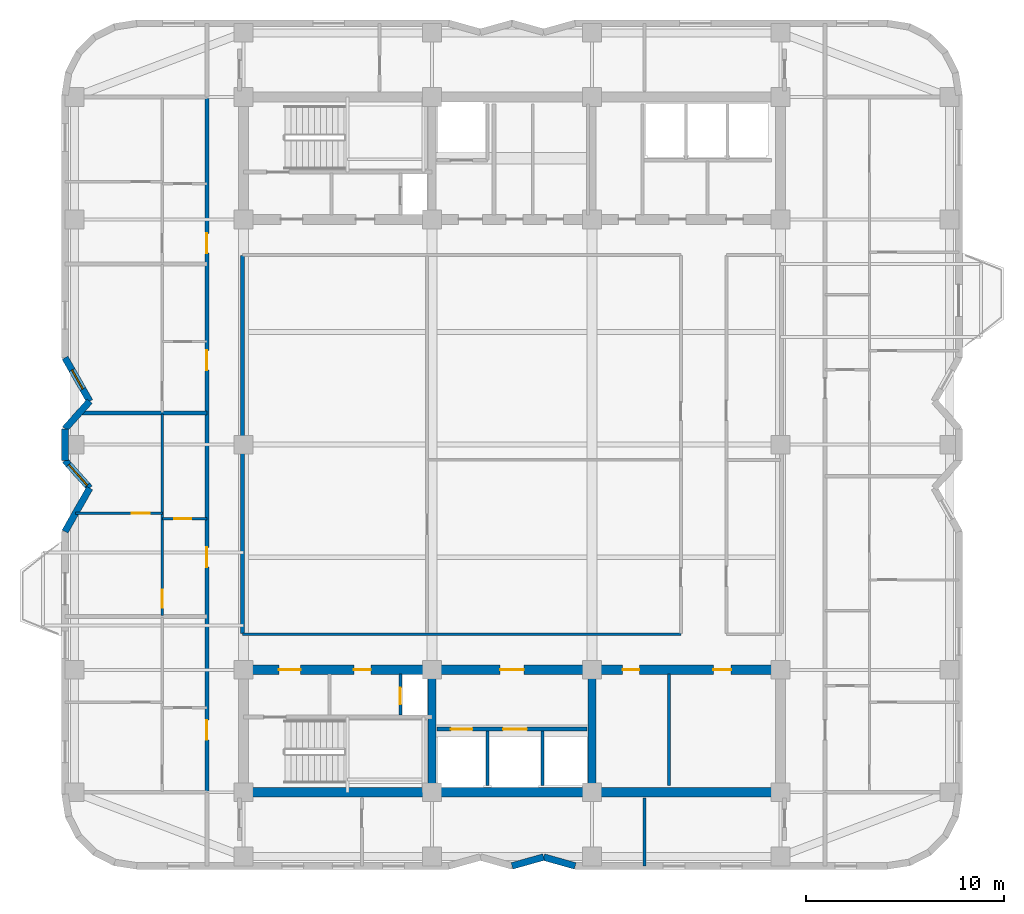
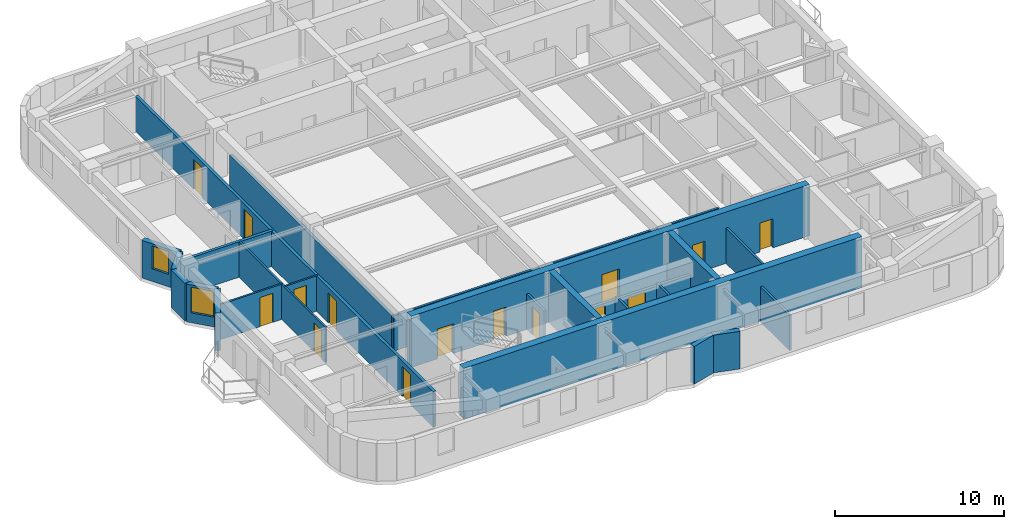
# One storey, part 3 of 9: 24 walls, 15 doors, 2 windows, 17 openings.
"""IFC4 building model written with IfcOpenShell, lengths in metres."""

from ifc_helpers import new_model, si_unit, direction, frame, frame_2d, origin, place, context, subcontext, project, spatial, rectangle, extrude, material, layer, layer_set, type_object, element, fill, save


model = new_model("IFC4")

# Units and contexts
model_context = context("Model", 3, precision=1e-05, world=origin(), true_north=direction((0.0, 1.0)))
body_context = subcontext(model_context, "Body", "Model", "MODEL_VIEW")
ifc_project = project(units=[si_unit("LENGTHUNIT", "METRE"), si_unit("AREAUNIT", "SQUARE_METRE"), si_unit("VOLUMEUNIT", "CUBIC_METRE"), si_unit("PLANEANGLEUNIT", "RADIAN"), si_unit("MASSUNIT", "GRAM", prefix="KILO")], contexts=[model_context])

# Site, building, storey
site_placement = place(None, origin())
site = spatial("IfcSite", under=ifc_project, at=site_placement, CompositionType="ELEMENT")
building_placement = place(site_placement, origin())
building = spatial("IfcBuilding", under=site, at=building_placement, Name="Svetorya Sky Lyceum", CompositionType="ELEMENT")
storey_placement = place(building_placement, frame((0.0, 0.0, 173.699951171875)))
storey = spatial("IfcBuildingStorey", under=building, at=storey_placement, Name="L43", CompositionType="ELEMENT", Elevation=173.699951171875)

# Walls
ifc_material_1 = material(Name="Concrete C40/50", Category="concrete")
ifc_layer_1 = layer(ifc_material_1, 0.39990234375)
ifc_layer_set_1 = layer_set([ifc_layer_1], Name="Concrete C40/50")
wall_type_1 = type_object("IfcWallType", Name="WL-CORE-400", PredefinedType="SHEAR", material=ifc_layer_set_1)
for number, where, z_axis, x_axis, name in (
    (1, (35.14990234375, 10.85009765625, 0.0), (0.0, 0.0, 1.0), (0.0, 1.0, 0.0), "L43 SC Internal Shear Web WEB1"),
    (2, (43.25, 10.85009765625, 0.0), (0.0, 0.0, 1.0), (0.0, 1.0, 0.0), "L43 SC Internal Shear Web WEB2"),
):
    element("IfcWall", number, at=place(storey_placement, frame(where, z_axis=z_axis, x_axis=x_axis)), inside=storey, type_object=wall_type_1, Name=name, PredefinedType="SHEAR", context=body_context, shape_type="SweptSolid", body=[
        extrude(rectangle(XDim=5.699951171875, YDim=0.39990234375, at=frame_2d((2.85009765625, 0.0))), origin(), (0.0, 0.0, 1.0), 3.699951171875),
    ])
ifc_material_2 = material(Name="Concrete C50/60", Category="concrete")
ifc_layer_2 = layer(ifc_material_2, 0.5)
ifc_layer_set_2 = layer_set([ifc_layer_2], Name="Concrete C50/60")
wall_type_2 = type_object("IfcWallType", Name="WL-CORE-500", PredefinedType="SHEAR", material=ifc_layer_set_2)
wall_1_placement = place(storey_placement, frame((52.800048828125, 10.60009765625, 0.0), z_axis=(0.0, 0.0, 1.0), x_axis=(-1.0, 0.0, 0.0)))
element("IfcWall", 3, at=wall_1_placement, inside=storey, type_object=wall_type_2, Name="L43 SC Outer Core Shear Wall", PredefinedType="SHEAR", context=body_context, shape_type="SweptSolid", body=[
    extrude(rectangle(XDim=27.199951171875, YDim=0.5, at=frame_2d((13.60009765625, 0.0))), origin(), (0.0, 0.0, 1.0), 3.699951171875),
])

# Wall, openings, doors
wall_2_placement = place(storey_placement, frame((25.60009765625, 16.800048828125, 0.0), z_axis=(0.0, 0.0, 1.0), x_axis=(1.0, 0.0, 0.0)))
wall_2 = element("IfcWall", 4, at=wall_2_placement, inside=storey, type_object=wall_type_2, Name="L43 SC Inner Core Shear Wall", PredefinedType="SHEAR", context=body_context, shape_type="SweptSolid", body=[
    extrude(rectangle(XDim=27.199951171875, YDim=0.5, at=frame_2d((13.60009765625, 0.0))), origin(), (0.0, 0.0, 1.0), 3.699951171875),
])
opening_1_placement = place(wall_2_placement, frame((1.800048828125, 0.0, 0.0)))
opening_1 = element("IfcOpeningElement", 5, at=opening_1_placement, cuts=wall_2, Name="Opening D-ST1", PredefinedType="OPENING", context=body_context, shape_type="SweptSolid", body=[
    extrude(rectangle(XDim=1.10009765625, YDim=2.14990234375, at=frame_2d((0.550048828125, 1.074951171875))), frame((0.0, 0.260009765625, 0.0), z_axis=(0.0, -1.0, 0.0), x_axis=(1.0, 0.0, 0.0)), (0.0, 0.0, 1.0), 0.52001953125),
])
opening_2_placement = place(wall_2_placement, frame((5.60009765625, 0.0, 0.0)))
opening_2 = element("IfcOpeningElement", 6, at=opening_2_placement, cuts=wall_2, Name="Opening D-CWC1", PredefinedType="OPENING", context=body_context, shape_type="SweptSolid", body=[
    extrude(rectangle(XDim=0.85009765625, YDim=2.10009765625, at=frame_2d((0.425048828125, 1.050048828125))), frame((0.0, 0.260009765625, 0.0), z_axis=(0.0, -1.0, 0.0), x_axis=(1.0, 0.0, 0.0)), (0.0, 0.0, 1.0), 0.52001953125),
])
opening_3_placement = place(wall_2_placement, frame((13.0, 0.0, 0.0)))
opening_3 = element("IfcOpeningElement", 7, at=opening_3_placement, cuts=wall_2, Name="Opening D-FL1", PredefinedType="OPENING", context=body_context, shape_type="SweptSolid", body=[
    extrude(rectangle(XDim=1.199951171875, YDim=2.14990234375, at=frame_2d((0.60009765625, 1.074951171875))), frame((0.0, 0.260009765625, 0.0), z_axis=(0.0, -1.0, 0.0), x_axis=(1.0, 0.0, 0.0)), (0.0, 0.0, 1.0), 0.52001953125),
])
opening_4_placement = place(wall_2_placement, frame((19.199951171875, 0.0, 0.0)))
opening_4 = element("IfcOpeningElement", 8, at=opening_4_placement, cuts=wall_2, Name="Opening D-CWC1", PredefinedType="OPENING", context=body_context, shape_type="SweptSolid", body=[
    extrude(rectangle(XDim=0.85009765625, YDim=2.10009765625, at=frame_2d((0.425048828125, 1.050048828125))), frame((0.0, 0.260009765625, 0.0), z_axis=(0.0, -1.0, 0.0), x_axis=(1.0, 0.0, 0.0)), (0.0, 0.0, 1.0), 0.52001953125),
])
opening_5_placement = place(wall_2_placement, frame((23.800048828125, 0.0, 0.0)))
opening_5 = element("IfcOpeningElement", 9, at=opening_5_placement, cuts=wall_2, Name="Opening D-RM1", PredefinedType="OPENING", context=body_context, shape_type="SweptSolid", body=[
    extrude(rectangle(XDim=0.89990234375, YDim=2.10009765625, at=frame_2d((0.449951171875, 1.050048828125))), frame((0.0, 0.260009765625, 0.0), z_axis=(0.0, -1.0, 0.0), x_axis=(1.0, 0.0, 0.0)), (0.0, 0.0, 1.0), 0.52001953125),
])
ifc_material_3 = material(Name="Fire-rated galvanized steel core service closet door", Category="steel")
door_type_1 = type_object("IfcDoorType", Name="DR-CWET-850", OperationType="SINGLE_SWING_LEFT", PredefinedType="DOOR", material=ifc_material_3)
door_1_placement = place(opening_2_placement, origin())
door_1 = element("IfcDoor", 10, at=door_1_placement, inside=storey, type_object=door_type_1, Name="L43 South Hydrant Room Door", OperationType="SINGLE_SWING_LEFT", OverallHeight=2.10009765625, OverallWidth=0.85009765625, PredefinedType="DOOR", context=body_context, shape_type="SweptSolid", body=[
    extrude(rectangle(XDim=0.85009765625, YDim=2.10009765625, at=frame_2d((0.425048828125, 1.050048828125))), frame((0.0, 0.02490234375, 0.0), z_axis=(0.0, -1.0, 0.0), x_axis=(1.0, 0.0, 0.0)), (0.0, 0.0, 1.0), 0.050048828125),
])
fill(opening_2, door_1)
door_2_placement = place(opening_4_placement, origin())
door_2 = element("IfcDoor", 11, at=door_2_placement, inside=storey, type_object=door_type_1, Name="L43 Laundry Door", OperationType="SINGLE_SWING_RIGHT", OverallHeight=2.10009765625, OverallWidth=0.85009765625, PredefinedType="DOOR", context=body_context, shape_type="SweptSolid", body=[
    extrude(rectangle(XDim=0.85009765625, YDim=2.10009765625, at=frame_2d((0.425048828125, 1.050048828125))), frame((0.0, 0.02490234375, 0.0), z_axis=(0.0, -1.0, 0.0), x_axis=(1.0, 0.0, 0.0)), (0.0, 0.0, 1.0), 0.050048828125),
])
fill(opening_4, door_2)
ifc_material_4 = material(Name="Powder-coated insulated galvanized stair fire door")
door_type_2 = type_object("IfcDoorType", Name="DR-FIRE-1100", OperationType="SINGLE_SWING_LEFT", PredefinedType="DOOR", material=ifc_material_4)
door_3_placement = place(opening_1_placement, origin())
door_3 = element("IfcDoor", 12, at=door_3_placement, inside=storey, type_object=door_type_2, Name="L43 South Stair Airlock Door", OperationType="SINGLE_SWING_RIGHT", OverallHeight=2.14990234375, OverallWidth=1.10009765625, PredefinedType="DOOR", context=body_context, shape_type="SweptSolid", body=[
    extrude(rectangle(XDim=1.10009765625, YDim=2.14990234375, at=frame_2d((0.550048828125, 1.074951171875))), frame((0.0, 0.02490234375, 0.0), z_axis=(0.0, -1.0, 0.0), x_axis=(1.0, 0.0, 0.0)), (0.0, 0.0, 1.0), 0.050048828125),
])
fill(opening_1, door_3)
ifc_material_5 = material(Name="Powder-coated insulated galvanized fire door")
door_type_3 = type_object("IfcDoorType", Name="DR-FIRE-1200", OperationType="SINGLE_SWING_LEFT", PredefinedType="DOOR", material=ifc_material_5)
door_4_placement = place(opening_3_placement, origin())
door_4 = element("IfcDoor", 13, at=door_4_placement, inside=storey, type_object=door_type_3, Name="L43 South Firefighting Lift Lobby Door", OperationType="SINGLE_SWING_LEFT", OverallHeight=2.14990234375, OverallWidth=1.199951171875, PredefinedType="DOOR", context=body_context, shape_type="SweptSolid", body=[
    extrude(rectangle(XDim=1.199951171875, YDim=2.14990234375, at=frame_2d((0.60009765625, 1.074951171875))), frame((0.0, 0.02490234375, 0.0), z_axis=(0.0, -1.0, 0.0), x_axis=(1.0, 0.0, 0.0)), (0.0, 0.0, 1.0), 0.050048828125),
])
fill(opening_3, door_4)
ifc_material_6 = material(Name="Lacquered birch veneer internal door")
door_type_4 = type_object("IfcDoorType", Name="DR-INT-900", OperationType="SINGLE_SWING_LEFT", PredefinedType="DOOR", material=ifc_material_6)
door_5_placement = place(opening_5_placement, origin())
door_5 = element("IfcDoor", 14, at=door_5_placement, inside=storey, type_object=door_type_4, Name="L43 Pantry Door", OperationType="SINGLE_SWING_LEFT", OverallHeight=2.10009765625, OverallWidth=0.89990234375, PredefinedType="DOOR", context=body_context, shape_type="SweptSolid", body=[
    extrude(rectangle(XDim=0.89990234375, YDim=2.10009765625, at=frame_2d((0.449951171875, 1.050048828125))), frame((0.0, 0.02490234375, 0.0), z_axis=(0.0, -1.0, 0.0), x_axis=(1.0, 0.0, 0.0)), (0.0, 0.0, 1.0), 0.050048828125),
])
fill(opening_5, door_5)

# Walls
ifc_material_7 = material(Name="Putilovo limestone rainscreen on autoclaved cellular masonry", Category="masonry")
ifc_layer_3 = layer(ifc_material_7, 0.340087890625)
ifc_layer_set_3 = layer_set([ifc_layer_3], Name="Putilovo limestone rainscreen on autoclaved cellular masonry")
wall_type_3 = type_object("IfcWallType", Name="WL-EXT-340", PredefinedType="SOLIDWALL", material=ifc_layer_set_3)
wall_3_placement = place(storey_placement, frame((39.199951171875, 6.8701171875, 0.0), z_axis=(0.0, 0.0, 1.0), x_axis=(0.962662902433, 0.270703040766, 0.0)))
element("IfcWall", 15, at=wall_3_placement, inside=storey, type_object=wall_type_3, Name="L43 Limestone Exterior Wall 9M", PredefinedType="SOLIDWALL", context=body_context, shape_type="SweptSolid", body=[
    extrude(rectangle(XDim=1.662109375, YDim=0.340087890625, at=frame_2d((0.8310546875, 0.0))), origin(), (0.0, 0.0, 1.0), 2.719970703125),
])
wall_4_placement = place(storey_placement, frame((40.800048828125, 7.320068359375, 0.0), z_axis=(0.0, 0.0, 1.0), x_axis=(0.962652136636, -0.270741322725, 0.0)))
element("IfcWall", 16, at=wall_4_placement, inside=storey, type_object=wall_type_3, Name="L43 Limestone Exterior Wall 10M", PredefinedType="SOLIDWALL", context=body_context, shape_type="SweptSolid", body=[
    extrude(rectangle(XDim=1.661865234375, YDim=0.340087890625, at=frame_2d((0.8310546875, 0.0))), origin(), (0.0, 0.0, 1.0), 2.719970703125),
])

# Wall, opening, window
wall_5_placement = place(storey_placement, frame((16.570068359375, 32.60009765625, 0.0), z_axis=(0.0, 0.0, 1.0), x_axis=(0.493976255291, -0.869475393101, 0.0)))
wall_5 = element("IfcWall", 17, at=wall_5_placement, inside=storey, type_object=wall_type_3, Name="L43 Limestone Exterior Wall 41M", PredefinedType="SOLIDWALL", context=body_context, shape_type="SweptSolid", body=[
    extrude(rectangle(XDim=2.530517578125, YDim=0.340087890625, at=frame_2d((1.26513671875, 0.0))), origin(), (0.0, 0.0, 1.0), 2.719970703125),
])
opening_6_placement = place(wall_5_placement, frame((0.715087890625, 0.0, 0.909912109375)))
opening_6 = element("IfcOpeningElement", 18, at=opening_6_placement, cuts=wall_5, Name="Opening W-R3", PredefinedType="OPENING", context=body_context, shape_type="SweptSolid", body=[
    extrude(rectangle(XDim=1.10009765625, YDim=1.64990234375, at=frame_2d((0.550048828125, 0.824951171875))), frame((0.0, 0.179931640625, 0.0), z_axis=(0.0, -1.0, 0.0), x_axis=(1.0, 0.0, 0.0)), (0.0, 0.0, 1.0), 0.360107421875),
])
ifc_material_8 = material(Name="Thermally broken aluminium frame with triple low-E glazing", Category="aluminium")
window_type_1 = type_object("IfcWindowType", Name="WN-RES-110", PartitioningType="SINGLE_PANEL", PredefinedType="WINDOW", material=ifc_material_8)
window_1_placement = place(opening_6_placement, origin())
window_1 = element("IfcWindow", 19, at=window_1_placement, inside=storey, type_object=window_type_1, Name="L43 Facade Window W-R3.41M.1", OverallHeight=1.64990234375, OverallWidth=1.10009765625, PartitioningType="SINGLE_PANEL", PredefinedType="WINDOW", context=body_context, shape_type="SweptSolid", body=[
    extrude(rectangle(XDim=1.10009765625, YDim=1.64990234375, at=frame_2d((0.550048828125, 0.824951171875))), frame((0.0, 0.030029296875, 0.0), z_axis=(0.0, -1.0, 0.0), x_axis=(1.0, 0.0, 0.0)), (0.0, 0.0, 1.0), 0.06005859375),
])
fill(opening_6, window_1)

# Walls
wall_6_placement = place(storey_placement, frame((17.820068359375, 30.39990234375, 0.0), z_axis=(0.0, 0.0, 1.0), x_axis=(-0.666041619974, -0.74591457987, 0.0)))
element("IfcWall", 20, at=wall_6_placement, inside=storey, type_object=wall_type_3, Name="L43 Limestone Exterior Wall 42M", PredefinedType="SOLIDWALL", context=body_context, shape_type="SweptSolid", body=[
    extrude(rectangle(XDim=1.876708984375, YDim=0.340087890625, at=frame_2d((0.9384765625, 0.0))), origin(), (0.0, 0.0, 1.0), 2.719970703125),
])
wall_7_placement = place(storey_placement, frame((16.570068359375, 29.0, 0.0), z_axis=(0.0, 0.0, 1.0), x_axis=(0.0, -1.0, 0.0)))
element("IfcWall", 21, at=wall_7_placement, inside=storey, type_object=wall_type_3, Name="L43 Limestone Exterior Wall 43M", PredefinedType="SOLIDWALL", context=body_context, shape_type="SweptSolid", body=[
    extrude(rectangle(XDim=1.60009765625, YDim=0.340087890625, at=frame_2d((0.800048828125, 0.0))), origin(), (0.0, 0.0, 1.0), 2.719970703125),
])

# Wall, opening, window
wall_8_placement = place(storey_placement, frame((16.570068359375, 27.39990234375, 0.0), z_axis=(0.0, 0.0, 1.0), x_axis=(0.666041619974, -0.74591457987, 0.0)))
wall_8 = element("IfcWall", 22, at=wall_8_placement, inside=storey, type_object=wall_type_3, Name="L43 Limestone Exterior Wall 44M", PredefinedType="SOLIDWALL", context=body_context, shape_type="SweptSolid", body=[
    extrude(rectangle(XDim=1.876708984375, YDim=0.340087890625, at=frame_2d((0.9384765625, 0.0))), origin(), (0.0, 0.0, 1.0), 2.719970703125),
])
opening_7_placement = place(wall_8_placement, frame((0.280029296875, 0.0, 0.7099609375)))
opening_7 = element("IfcOpeningElement", 23, at=opening_7_placement, cuts=wall_8, Name="Opening W-R2", PredefinedType="OPENING", context=body_context, shape_type="SweptSolid", body=[
    extrude(rectangle(XDim=1.39990234375, YDim=1.85009765625, at=frame_2d((0.699951171875, 0.925048828125))), frame((0.0, 0.179931640625, 0.0), z_axis=(0.0, -1.0, 0.0), x_axis=(1.0, 0.0, 0.0)), (0.0, 0.0, 1.0), 0.360107421875),
])
window_type_2 = type_object("IfcWindowType", Name="WN-RES-140", PartitioningType="SINGLE_PANEL", PredefinedType="WINDOW", material=ifc_material_8)
window_2_placement = place(opening_7_placement, origin())
window_2 = element("IfcWindow", 24, at=window_2_placement, inside=storey, type_object=window_type_2, Name="L43 Facade Window W-R2.44M.1", OverallHeight=1.85009765625, OverallWidth=1.39990234375, PartitioningType="SINGLE_PANEL", PredefinedType="WINDOW", context=body_context, shape_type="SweptSolid", body=[
    extrude(rectangle(XDim=1.39990234375, YDim=1.85009765625, at=frame_2d((0.699951171875, 0.925048828125))), frame((0.0, 0.030029296875, 0.0), z_axis=(0.0, -1.0, 0.0), x_axis=(1.0, 0.0, 0.0)), (0.0, 0.0, 1.0), 0.06005859375),
])
fill(opening_7, window_2)

# Wall
wall_9_placement = place(storey_placement, frame((17.820068359375, 26.0, 0.0), z_axis=(0.0, 0.0, 1.0), x_axis=(-0.494017696272, -0.869451847873, 0.0)))
element("IfcWall", 25, at=wall_9_placement, inside=storey, type_object=wall_type_3, Name="L43 Limestone Exterior Wall 45M", PredefinedType="SOLIDWALL", context=body_context, shape_type="SweptSolid", body=[
    extrude(rectangle(XDim=2.5302734375, YDim=0.340087890625, at=frame_2d((1.26513671875, 0.0))), origin(), (0.0, 0.0, 1.0), 2.719970703125),
])

# Wall, opening, door
ifc_material_9 = material(Name="Twin-stud galvanized framing with double fireboard", Category="gypsum")
ifc_layer_4 = layer(ifc_material_9, 0.1201171875)
ifc_layer_set_4 = layer_set([ifc_layer_4], Name="Twin-stud galvanized framing with double fireboard")
wall_type_4 = type_object("IfcWallType", Name="WL-PART-120", PredefinedType="PARTITIONING", material=ifc_layer_set_4)
wall_10_placement = place(storey_placement, frame((21.5, 24.43994140625, 0.0), z_axis=(0.0, 0.0, 1.0), x_axis=(1.0, 0.0, 0.0)))
wall_10 = element("IfcWall", 26, at=wall_10_placement, inside=storey, type_object=wall_type_4, Name="L43 Interior Partition W2-WH1", PredefinedType="PARTITIONING", context=body_context, shape_type="SweptSolid", body=[
    extrude(rectangle(XDim=2.25, YDim=0.1201171875, at=frame_2d((1.125, 0.0))), origin(), (0.0, 0.0, 1.0), 2.550048828125),
])
opening_8_placement = place(wall_10_placement, frame((0.60009765625, 0.0, 0.0)))
opening_8 = element("IfcOpeningElement", 27, at=opening_8_placement, cuts=wall_10, Name="Opening D-BT1", PredefinedType="OPENING", context=body_context, shape_type="SweptSolid", body=[
    extrude(rectangle(XDim=0.85009765625, YDim=2.10009765625, at=frame_2d((0.425048828125, 1.050048828125))), frame((0.0, 0.070068359375, 0.0), z_axis=(0.0, -1.0, 0.0), x_axis=(1.0, 0.0, 0.0)), (0.0, 0.0, 1.0), 0.14013671875),
])
ifc_material_10 = material(Name="Moisture-resistant laminate bathroom door")
door_type_5 = type_object("IfcDoorType", Name="DR-WET-850", OperationType="SINGLE_SWING_LEFT", PredefinedType="DOOR", material=ifc_material_10)
door_6_placement = place(opening_8_placement, origin())
door_6 = element("IfcDoor", 28, at=door_6_placement, inside=storey, type_object=door_type_5, Name="Apartment W2 Bathroom Door", OperationType="SINGLE_SWING_RIGHT", OverallHeight=2.10009765625, OverallWidth=0.85009765625, PredefinedType="DOOR", context=body_context, shape_type="SweptSolid", body=[
    extrude(rectangle(XDim=0.85009765625, YDim=2.10009765625, at=frame_2d((0.425048828125, 1.050048828125))), frame((0.0, 0.02490234375, 0.0), z_axis=(0.0, -1.0, 0.0), x_axis=(1.0, 0.0, 0.0)), (0.0, 0.0, 1.0), 0.050048828125),
])
fill(opening_8, door_6)

wall_11_placement = place(storey_placement, frame((17.098388671875, 24.72998046875, 0.0), z_axis=(0.0, 0.0, 1.0), x_axis=(1.0, 0.0, 0.0)))
wall_11 = element("IfcWall", 29, at=wall_11_placement, inside=storey, type_object=wall_type_4, Name="L43 Interior Partition W2-WL1", PredefinedType="PARTITIONING", context=body_context, shape_type="SweptSolid", body=[
    extrude(rectangle(XDim=4.401611328125, YDim=0.1201171875, at=frame_2d((2.20068359375, 0.0))), origin(), (0.0, 0.0, 1.0), 2.550048828125),
])
opening_9_placement = place(wall_11_placement, frame((2.8515625, 0.0, 0.0)))
opening_9 = element("IfcOpeningElement", 30, at=opening_9_placement, cuts=wall_11, Name="Opening D-RM1", PredefinedType="OPENING", context=body_context, shape_type="SweptSolid", body=[
    extrude(rectangle(XDim=0.89990234375, YDim=2.10009765625, at=frame_2d((0.449951171875, 1.050048828125))), frame((0.0, 0.070068359375, 0.0), z_axis=(0.0, -1.0, 0.0), x_axis=(1.0, 0.0, 0.0)), (0.0, 0.0, 1.0), 0.14013671875),
])
door_7_placement = place(opening_9_placement, origin())
door_7 = element("IfcDoor", 31, at=door_7_placement, inside=storey, type_object=door_type_4, Name="Apartment W2 Bedroom 1 Door", OperationType="SINGLE_SWING_RIGHT", OverallHeight=2.10009765625, OverallWidth=0.89990234375, PredefinedType="DOOR", context=body_context, shape_type="SweptSolid", body=[
    extrude(rectangle(XDim=0.89990234375, YDim=2.10009765625, at=frame_2d((0.449951171875, 1.050048828125))), frame((0.0, 0.02490234375, 0.0), z_axis=(0.0, -1.0, 0.0), x_axis=(1.0, 0.0, 0.0)), (0.0, 0.0, 1.0), 0.050048828125),
])
fill(opening_9, door_7)

wall_12_placement = place(storey_placement, frame((21.5, 19.5400390625, 0.0), z_axis=(0.0, 0.0, 1.0), x_axis=(0.0, 1.0, 0.0)))
wall_12 = element("IfcWall", 32, at=wall_12_placement, inside=storey, type_object=wall_type_4, Name="L43 Interior Partition W2-WV", PredefinedType="PARTITIONING", context=body_context, shape_type="SweptSolid", body=[
    extrude(rectangle(XDim=10.219970703125, YDim=0.1201171875, at=frame_2d((5.10986328125, 0.0))), origin(), (0.0, 0.0, 1.0), 2.550048828125),
])
opening_10_placement = place(wall_12_placement, frame((0.409912109375, 0.0, 0.0)))
opening_10 = element("IfcOpeningElement", 33, at=opening_10_placement, cuts=wall_12, Name="Opening D-RM1", PredefinedType="OPENING", context=body_context, shape_type="SweptSolid", body=[
    extrude(rectangle(XDim=0.89990234375, YDim=2.10009765625, at=frame_2d((0.449951171875, 1.050048828125))), frame((0.0, 0.070068359375, 0.0), z_axis=(0.0, -1.0, 0.0), x_axis=(1.0, 0.0, 0.0)), (0.0, 0.0, 1.0), 0.14013671875),
])
door_8_placement = place(opening_10_placement, origin())
door_8 = element("IfcDoor", 34, at=door_8_placement, inside=storey, type_object=door_type_4, Name="Apartment W2 Living Door", OperationType="SINGLE_SWING_LEFT", OverallHeight=2.10009765625, OverallWidth=0.89990234375, PredefinedType="DOOR", context=body_context, shape_type="SweptSolid", body=[
    extrude(rectangle(XDim=0.89990234375, YDim=2.10009765625, at=frame_2d((0.449951171875, 1.050048828125))), frame((0.0, 0.02490234375, 0.0), z_axis=(0.0, -1.0, 0.0), x_axis=(1.0, 0.0, 0.0)), (0.0, 0.0, 1.0), 0.050048828125),
])
fill(opening_10, door_8)

ifc_material_11 = material(Name="Autoclaved cellular masonry blockwork with acoustic render", Category="masonry")
ifc_layer_5 = layer(ifc_material_11, 0.14990234375)
ifc_layer_set_5 = layer_set([ifc_layer_5], Name="Autoclaved cellular masonry blockwork with acoustic render")
wall_type_5 = type_object("IfcWallType", Name="WL-PART-150", PredefinedType="PARTITIONING", material=ifc_layer_set_5)
wall_13_placement = place(storey_placement, frame((33.550048828125, 14.5, 0.0), z_axis=(0.0, 0.0, 1.0), x_axis=(0.0, 1.0, 0.0)))
wall_13 = element("IfcWall", 35, at=wall_13_placement, inside=storey, type_object=wall_type_5, Name="L43 Interior Partition SC-SWD2", PredefinedType="PARTITIONING", context=body_context, shape_type="SweptSolid", body=[
    extrude(rectangle(XDim=2.080078125, YDim=0.14990234375, at=frame_2d((1.0400390625, 0.0))), origin(), (0.0, 0.0, 1.0), 2.550048828125),
])
opening_11_placement = place(wall_13_placement, frame((0.550048828125, 0.0, 0.0)))
opening_11 = element("IfcOpeningElement", 36, at=opening_11_placement, cuts=wall_13, Name="Opening D-SH1", PredefinedType="OPENING", context=body_context, shape_type="SweptSolid", body=[
    extrude(rectangle(XDim=0.85009765625, YDim=2.050048828125, at=frame_2d((0.425048828125, 1.02490234375))), frame((0.0, 0.0849609375, 0.0), z_axis=(0.0, -1.0, 0.0), x_axis=(1.0, 0.0, 0.0)), (0.0, 0.0, 1.0), 0.169921875),
])
ifc_material_12 = material(Name="Insulated galvanized riser inspection fire door")
door_type_6 = type_object("IfcDoorType", Name="DR-SHFT-850", OperationType="SINGLE_SWING_LEFT", PredefinedType="TRAPDOOR", material=ifc_material_12)
door_9_placement = place(opening_11_placement, origin())
door_9 = element("IfcDoor", 37, at=door_9_placement, inside=storey, type_object=door_type_6, Name="L43 South Riser Access Door", OperationType="SINGLE_SWING_RIGHT", OverallHeight=2.050048828125, OverallWidth=0.85009765625, PredefinedType="TRAPDOOR", context=body_context, shape_type="SweptSolid", body=[
    extrude(rectangle(XDim=0.85009765625, YDim=2.050048828125, at=frame_2d((0.425048828125, 1.02490234375))), frame((0.0, 0.02490234375, 0.0), z_axis=(0.0, -1.0, 0.0), x_axis=(1.0, 0.0, 0.0)), (0.0, 0.0, 1.0), 0.050048828125),
])
fill(opening_11, door_9)

# Walls
for number, where, z_axis, x_axis, name in (
    (38, (37.949951171875, 10.949951171875, 0.0), (0.0, 0.0, 1.0), (0.0, 1.0, 0.0), "L43 Interior Partition SC-SHD1"),
    (39, (40.75, 10.949951171875, 0.0), (0.0, 0.0, 1.0), (0.0, 1.0, 0.0), "L43 Interior Partition SC-SHD2"),
):
    element("IfcWall", number, at=place(storey_placement, frame(where, z_axis=z_axis, x_axis=x_axis)), inside=storey, type_object=wall_type_5, Name=name, PredefinedType="PARTITIONING", context=body_context, shape_type="SweptSolid", body=[
        extrude(rectangle(XDim=2.75, YDim=0.14990234375, at=frame_2d((1.375, 0.0))), origin(), (0.0, 0.0, 1.0), 2.550048828125),
    ])
wall_14_placement = place(storey_placement, frame((47.14990234375, 10.949951171875, 0.0), z_axis=(0.0, 0.0, 1.0), x_axis=(0.0, 1.0, 0.0)))
element("IfcWall", 40, at=wall_14_placement, inside=storey, type_object=wall_type_5, Name="L43 Interior Partition SC-LV7-VA", PredefinedType="PARTITIONING", context=body_context, shape_type="SweptSolid", body=[
    extrude(rectangle(XDim=5.630126953125, YDim=0.14990234375, at=frame_2d((2.81494140625, 0.0))), origin(), (0.0, 0.0, 1.0), 2.550048828125),
])
wall_15_placement = place(storey_placement, frame((25.550048828125, 18.60009765625, 0.0), z_axis=(0.0, 0.0, 1.0), x_axis=(1.0, 0.0, 0.0)))
element("IfcWall", 41, at=wall_15_placement, inside=storey, type_object=wall_type_5, Name="L43 Interior Partition OFF-CS-W", PredefinedType="PARTITIONING", context=body_context, shape_type="SweptSolid", body=[
    extrude(rectangle(XDim=22.199951171875, YDim=0.14990234375, at=frame_2d((11.10009765625, 0.0))), origin(), (0.0, 0.0, 1.0), 2.550048828125),
])
wall_16_placement = place(storey_placement, frame((45.89990234375, 6.8701171875, 0.0), z_axis=(0.0, 0.0, 1.0), x_axis=(0.0, 1.0, 0.0)))
element("IfcWall", 42, at=wall_16_placement, inside=storey, type_object=wall_type_5, Name="L43 Interior Partition S-D2", PredefinedType="PARTITIONING", context=body_context, shape_type="SweptSolid", body=[
    extrude(rectangle(XDim=3.429931640625, YDim=0.14990234375, at=frame_2d((1.71484375, 0.0))), origin(), (0.0, 0.0, 1.0), 2.550048828125),
])

# Wall, openings, doors
ifc_material_13 = material(Name="Autoclaved cellular masonry blockwork with gypsum plaster", Category="masonry")
ifc_layer_6 = layer(ifc_material_13, 0.199951171875)
ifc_layer_set_6 = layer_set([ifc_layer_6], Name="Autoclaved cellular masonry blockwork with gypsum plaster")
wall_type_6 = type_object("IfcWallType", Name="WL-PART-200", PredefinedType="PARTITIONING", material=ifc_layer_set_6)
wall_17_placement = place(storey_placement, frame((35.39990234375, 13.800048828125, 0.0), z_axis=(0.0, 0.0, 1.0), x_axis=(1.0, 0.0, 0.0)))
wall_17 = element("IfcWall", 43, at=wall_17_placement, inside=storey, type_object=wall_type_6, Name="L43 Interior Partition SC-FLW", PredefinedType="PARTITIONING", context=body_context, shape_type="SweptSolid", body=[
    extrude(rectangle(XDim=7.60009765625, YDim=0.199951171875, at=frame_2d((3.800048828125, 0.0))), origin(), (0.0, 0.0, 1.0), 2.320068359375),
])
opening_12_placement = place(wall_17_placement, frame((0.699951171875, 0.0, 0.0)))
opening_12 = element("IfcOpeningElement", 44, at=opening_12_placement, cuts=wall_17, Name="Opening LD-FL", PredefinedType="OPENING", context=body_context, shape_type="SweptSolid", body=[
    extrude(rectangle(XDim=1.10009765625, YDim=2.14990234375, at=frame_2d((0.550048828125, 1.074951171875))), frame((0.0, 0.10986328125, 0.0), z_axis=(0.0, -1.0, 0.0), x_axis=(1.0, 0.0, 0.0)), (0.0, 0.0, 1.0), 0.219970703125),
])
opening_13_placement = place(wall_17_placement, frame((3.35009765625, 0.0, 0.0)))
opening_13 = element("IfcOpeningElement", 45, at=opening_13_placement, cuts=wall_17, Name="Opening LD-SV", PredefinedType="OPENING", context=body_context, shape_type="SweptSolid", body=[
    extrude(rectangle(XDim=1.199951171875, YDim=2.14990234375, at=frame_2d((0.60009765625, 1.074951171875))), frame((0.0, 0.10986328125, 0.0), z_axis=(0.0, -1.0, 0.0), x_axis=(1.0, 0.0, 0.0)), (0.0, 0.0, 1.0), 0.219970703125),
])
ifc_material_14 = material(Name="Fire-rated stainless AISI 304 firefighting lift landing door")
door_type_7 = type_object("IfcDoorType", Name="DR-LIFT-1100", OperationType="SLIDING_TO_LEFT", PredefinedType="DOOR", material=ifc_material_14)
door_10_placement = place(opening_12_placement, origin())
door_10 = element("IfcDoor", 46, at=door_10_placement, inside=storey, type_object=door_type_7, Name="L43 Firefighting Lift FL2 Landing Door", OperationType="SLIDING_TO_LEFT", OverallHeight=2.14990234375, OverallWidth=1.10009765625, PredefinedType="DOOR", context=body_context, shape_type="SweptSolid", body=[
    extrude(rectangle(XDim=1.10009765625, YDim=2.14990234375, at=frame_2d((0.550048828125, 1.074951171875))), frame((0.0, 0.02490234375, 0.0), z_axis=(0.0, -1.0, 0.0), x_axis=(1.0, 0.0, 0.0)), (0.0, 0.0, 1.0), 0.050048828125),
])
fill(opening_12, door_10)
ifc_material_15 = material(Name="Brushed stainless AISI 304 telescopic lift landing door")
door_type_8 = type_object("IfcDoorType", Name="DR-LIFT-1200", OperationType="SLIDING_TO_LEFT", PredefinedType="DOOR", material=ifc_material_15)
door_11_placement = place(opening_13_placement, origin())
door_11 = element("IfcDoor", 47, at=door_11_placement, inside=storey, type_object=door_type_8, Name="L43 Service Lift SVL1 Landing Door", OperationType="SLIDING_TO_LEFT", OverallHeight=2.14990234375, OverallWidth=1.199951171875, PredefinedType="DOOR", context=body_context, shape_type="SweptSolid", body=[
    extrude(rectangle(XDim=1.199951171875, YDim=2.14990234375, at=frame_2d((0.60009765625, 1.074951171875))), frame((0.0, 0.02490234375, 0.0), z_axis=(0.0, -1.0, 0.0), x_axis=(1.0, 0.0, 0.0)), (0.0, 0.0, 1.0), 0.050048828125),
])
fill(opening_13, door_11)

# Walls
wall_18_placement = place(storey_placement, frame((25.550048828125, 18.6298828125, 0.0), z_axis=(0.0, 0.0, 1.0), x_axis=(0.0, 1.0, 0.0)))
element("IfcWall", 48, at=wall_18_placement, inside=storey, type_object=wall_type_6, Name="L43 Interior Partition W-CEN-SEP", PredefinedType="PARTITIONING", context=body_context, shape_type="SweptSolid", body=[
    extrude(rectangle(XDim=19.14013671875, YDim=0.199951171875, at=frame_2d((9.570068359375, 0.0))), origin(), (0.0, 0.0, 1.0), 2.550048828125),
])
wall_19_placement = place(storey_placement, frame((17.2841796875, 29.800048828125, 0.0), z_axis=(0.0, 0.0, 1.0), x_axis=(1.0, 0.0, 0.0)))
element("IfcWall", 49, at=wall_19_placement, inside=storey, type_object=wall_type_6, Name="L43 Interior Partition W-PARTY-2", PredefinedType="PARTITIONING", context=body_context, shape_type="SweptSolid", body=[
    extrude(rectangle(XDim=6.4658203125, YDim=0.199951171875, at=frame_2d((3.23291015625, 0.0))), origin(), (0.0, 0.0, 1.0), 2.550048828125),
])

# Wall, openings, doors
wall_20_placement = place(storey_placement, frame((23.75, 10.60009765625, 0.0), z_axis=(0.0, 0.0, 1.0), x_axis=(0.0, 1.0, 0.0)))
wall_20 = element("IfcWall", 50, at=wall_20_placement, inside=storey, type_object=wall_type_6, Name="L43 Interior Partition W-CORRW", PredefinedType="PARTITIONING", context=body_context, shape_type="SweptSolid", body=[
    extrude(rectangle(XDim=35.199951171875, YDim=0.199951171875, at=frame_2d((17.60009765625, 0.0))), origin(), (0.0, 0.0, 1.0), 2.550048828125),
])
opening_14_placement = place(wall_20_placement, frame((2.64990234375, 0.0, 0.0)))
opening_14 = element("IfcOpeningElement", 51, at=opening_14_placement, cuts=wall_20, Name="Opening D-APT1", PredefinedType="OPENING", context=body_context, shape_type="SweptSolid", body=[
    extrude(rectangle(XDim=1.0, YDim=2.14990234375, at=frame_2d((0.5, 1.074951171875))), frame((0.0, 0.10986328125, 0.0), z_axis=(0.0, -1.0, 0.0), x_axis=(1.0, 0.0, 0.0)), (0.0, 0.0, 1.0), 0.219970703125),
])
opening_15_placement = place(wall_20_placement, frame((11.39990234375, 0.0, 0.0)))
opening_15 = element("IfcOpeningElement", 52, at=opening_15_placement, cuts=wall_20, Name="Opening D-APT1", PredefinedType="OPENING", context=body_context, shape_type="SweptSolid", body=[
    extrude(rectangle(XDim=1.0, YDim=2.14990234375, at=frame_2d((0.5, 1.074951171875))), frame((0.0, 0.10986328125, 0.0), z_axis=(0.0, -1.0, 0.0), x_axis=(1.0, 0.0, 0.0)), (0.0, 0.0, 1.0), 0.219970703125),
])
opening_16_placement = place(wall_20_placement, frame((21.3701171875, 0.0, 0.0)))
opening_16 = element("IfcOpeningElement", 53, at=opening_16_placement, cuts=wall_20, Name="Opening D-APT1", PredefinedType="OPENING", context=body_context, shape_type="SweptSolid", body=[
    extrude(rectangle(XDim=1.0, YDim=2.14990234375, at=frame_2d((0.5, 1.074951171875))), frame((0.0, 0.10986328125, 0.0), z_axis=(0.0, -1.0, 0.0), x_axis=(1.0, 0.0, 0.0)), (0.0, 0.0, 1.0), 0.219970703125),
])
opening_17_placement = place(wall_20_placement, frame((27.302001953125, 0.0, 0.0)))
opening_17 = element("IfcOpeningElement", 54, at=opening_17_placement, cuts=wall_20, Name="Opening D-APT1", PredefinedType="OPENING", context=body_context, shape_type="SweptSolid", body=[
    extrude(rectangle(XDim=1.0, YDim=2.14990234375, at=frame_2d((0.5, 1.074951171875))), frame((0.0, 0.10986328125, 0.0), z_axis=(0.0, -1.0, 0.0), x_axis=(1.0, 0.0, 0.0)), (0.0, 0.0, 1.0), 0.219970703125),
])
ifc_material_16 = material(Name="Insulated oak-veneered apartment entrance door")
door_type_9 = type_object("IfcDoorType", Name="DR-APT-1000", OperationType="SINGLE_SWING_LEFT", PredefinedType="DOOR", material=ifc_material_16)
door_12_placement = place(opening_14_placement, origin())
door_12 = element("IfcDoor", 55, at=door_12_placement, inside=storey, type_object=door_type_9, Name="L43 Apartment W1 Entrance Door", OperationType="SINGLE_SWING_LEFT", OverallHeight=2.14990234375, OverallWidth=1.0, PredefinedType="DOOR", context=body_context, shape_type="SweptSolid", body=[
    extrude(rectangle(XDim=1.0, YDim=2.14990234375, at=frame_2d((0.5, 1.074951171875))), frame((0.0, 0.02490234375, 0.0), z_axis=(0.0, -1.0, 0.0), x_axis=(1.0, 0.0, 0.0)), (0.0, 0.0, 1.0), 0.050048828125),
])
fill(opening_14, door_12)
door_13_placement = place(opening_15_placement, origin())
door_13 = element("IfcDoor", 56, at=door_13_placement, inside=storey, type_object=door_type_9, Name="L43 Apartment W2 Entrance Door", OperationType="SINGLE_SWING_RIGHT", OverallHeight=2.14990234375, OverallWidth=1.0, PredefinedType="DOOR", context=body_context, shape_type="SweptSolid", body=[
    extrude(rectangle(XDim=1.0, YDim=2.14990234375, at=frame_2d((0.5, 1.074951171875))), frame((0.0, 0.02490234375, 0.0), z_axis=(0.0, -1.0, 0.0), x_axis=(1.0, 0.0, 0.0)), (0.0, 0.0, 1.0), 0.050048828125),
])
fill(opening_15, door_13)
door_14_placement = place(opening_16_placement, origin())
door_14 = element("IfcDoor", 57, at=door_14_placement, inside=storey, type_object=door_type_9, Name="L43 Apartment W3 Entrance Door", OperationType="SINGLE_SWING_LEFT", OverallHeight=2.14990234375, OverallWidth=1.0, PredefinedType="DOOR", context=body_context, shape_type="SweptSolid", body=[
    extrude(rectangle(XDim=1.0, YDim=2.14990234375, at=frame_2d((0.5, 1.074951171875))), frame((0.0, 0.02490234375, 0.0), z_axis=(0.0, -1.0, 0.0), x_axis=(1.0, 0.0, 0.0)), (0.0, 0.0, 1.0), 0.050048828125),
])
fill(opening_16, door_14)
door_15_placement = place(opening_17_placement, origin())
door_15 = element("IfcDoor", 58, at=door_15_placement, inside=storey, type_object=door_type_9, Name="L43 Apartment W4 Entrance Door", OperationType="SINGLE_SWING_RIGHT", OverallHeight=2.14990234375, OverallWidth=1.0, PredefinedType="DOOR", context=body_context, shape_type="SweptSolid", body=[
    extrude(rectangle(XDim=1.0, YDim=2.14990234375, at=frame_2d((0.5, 1.074951171875))), frame((0.0, 0.02490234375, 0.0), z_axis=(0.0, -1.0, 0.0), x_axis=(1.0, 0.0, 0.0)), (0.0, 0.0, 1.0), 0.050048828125),
])
fill(opening_17, door_15)

save(model, "model.ifc")
